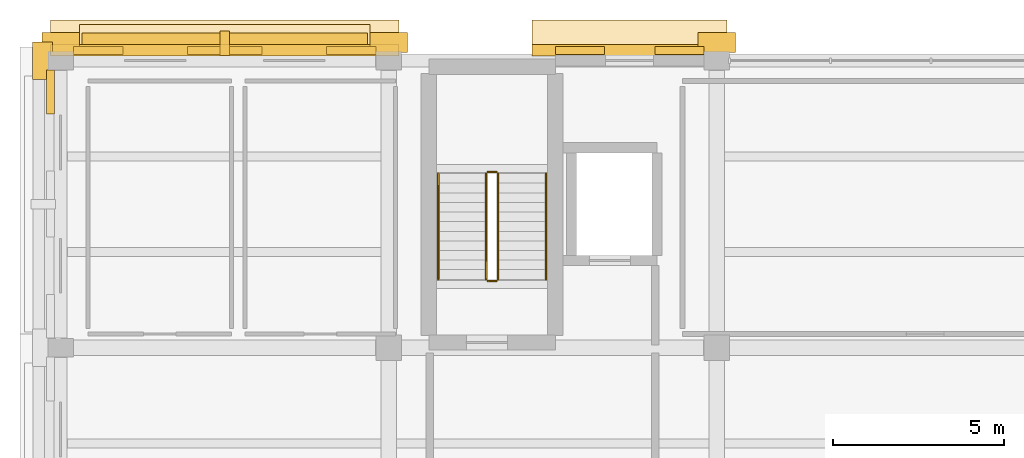
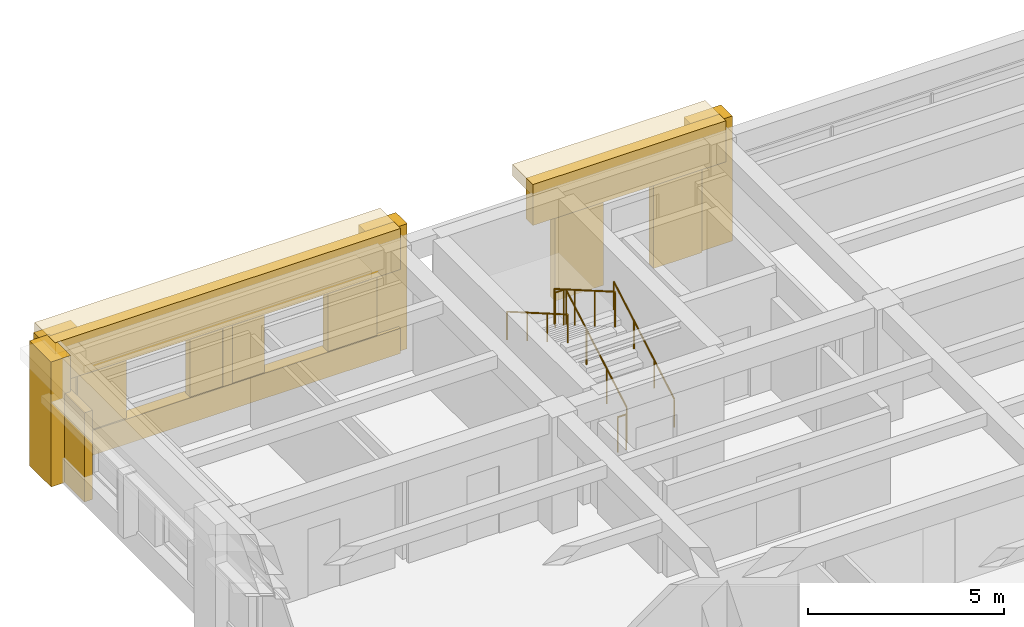
# One storey, part 10 of 12: 17 coverings, 6 railings, 1 shading device.
"""IFC4 building model written with IfcOpenShell, lengths in metres."""

import ifcopenshell
import ifcopenshell.guid

model = None  # the IFC model being written
_history = None  # IfcOwnerHistory: only IFC2X3 demands one
_inside = {}  # id of a spatial element -> (the spatial element, [elements in it])
_under = {}  # id of a project, library or spatial element -> (it, [spatial elements below it])
_declared = {}  # id of a project -> (the project, [libraries it declares])
_typed = {}  # id of a type object -> (the type object, [elements of that type])
_made_of = {}  # id of a material, layer set ... -> (it, [elements and type objects made of it])


def new_model(schema):
    """Start an empty IFC model of exactly this schema.

    Asked for "IFC4X3", IfcOpenShell would pick the latest addendum, in which some entities
    have other attributes; the version numbers below select the first issue.
    IFC2X3 requires an IfcOwnerHistory on every rooted entity: one is made here for all.
    """
    global model, _history
    if schema == "IFC4X3":
        model = ifcopenshell.file(schema_version=(4, 3, 0, 0))
    else:
        model = ifcopenshell.file(schema=schema)
    _inside.clear()
    _under.clear()
    _declared.clear()
    _typed.clear()
    _made_of.clear()
    _history = None
    if model.schema == "IFC2X3":
        org = make("IfcOrganization", Name="unknown")
        user = make(
            "IfcPersonAndOrganization",
            ThePerson=make("IfcPerson", FamilyName="unknown"),
            TheOrganization=org,
        )
        app = make(
            "IfcApplication",
            ApplicationDeveloper=org,
            Version="unknown",
            ApplicationFullName="unknown",
            ApplicationIdentifier="unknown",
        )
        _history = make(
            "IfcOwnerHistory",
            OwningUser=user,
            OwningApplication=app,
            ChangeAction="ADDED",
            CreationDate=0,
        )
    return model


def make(cls, **values):
    """One entity of the class cls with the attributes given. An attribute that is None is left unset."""
    return model.create_entity(
        cls, **{name: value for name, value in values.items() if value is not None}
    )


def rooted(cls, **values):
    """An entity with a GlobalId (a new one), such as an element, a storey or a relation."""
    return make(cls, GlobalId=ifcopenshell.guid.new(), OwnerHistory=_history, **values)


def si_unit(unit_type, name, prefix=None):
    """IfcSIUnit, for example si_unit("LENGTHUNIT", "METRE", prefix="MILLI")."""
    return make("IfcSIUnit", UnitType=unit_type, Prefix=prefix, Name=name)


def assignment(units):
    """IfcUnitAssignment: the units of a project."""
    return None if units is None else make("IfcUnitAssignment", Units=units)


def point(xyz):
    """IfcCartesianPoint."""
    return None if xyz is None else make("IfcCartesianPoint", Coordinates=xyz)


def direction(xyz):
    """IfcDirection."""
    return None if xyz is None else make("IfcDirection", DirectionRatios=xyz)


def frame(location, z_axis=None, x_axis=None):
    """IfcAxis2Placement3D, a coordinate frame: its origin and axes. An axis left out is left unset."""
    return make(
        "IfcAxis2Placement3D",
        Location=point(location),
        Axis=direction(z_axis),
        RefDirection=direction(x_axis),
    )


def frame_2d(location, x_axis=None):
    """IfcAxis2Placement2D, a coordinate frame in the plane: its origin and x axis."""
    return make(
        "IfcAxis2Placement2D", Location=point(location), RefDirection=direction(x_axis)
    )


def origin():
    """The frame at (0, 0, 0) with its axes left unset."""
    return frame((0.0, 0.0, 0.0))


def origin_2d():
    """The frame at (0, 0) in the plane with its x axis left unset."""
    return frame_2d((0.0, 0.0))


def place(relative_to, where):
    """IfcLocalPlacement: puts the frame where relative to a parent placement (None: the world)."""
    return make(
        "IfcLocalPlacement", PlacementRelTo=relative_to, RelativePlacement=where
    )


def context(
    kind, dimensions, precision=None, world=None, true_north=None, identifier=None
):
    """IfcGeometricRepresentationContext, for example the 3D "Model" context."""
    return make(
        "IfcGeometricRepresentationContext",
        ContextIdentifier=identifier,
        ContextType=kind,
        CoordinateSpaceDimension=dimensions,
        Precision=precision,
        WorldCoordinateSystem=world,
        TrueNorth=true_north,
    )


def subcontext(parent, identifier, kind, view, scale=None):
    """IfcGeometricRepresentationSubContext, for example "Body" below "Model"."""
    return make(
        "IfcGeometricRepresentationSubContext",
        ContextIdentifier=identifier,
        ContextType=kind,
        ParentContext=parent,
        TargetScale=scale,
        TargetView=view,
    )


def project(units=None, contexts=None):
    """IfcProject with its units and contexts."""
    return rooted(
        "IfcProject",
        Name="project",
        RepresentationContexts=contexts,
        UnitsInContext=assignment(units),
    )


def spatial(cls, under=None, at=None, **own):
    """A site, building, storey or space (cls), placed at a placement, below another one or the project."""
    s = rooted(cls, ObjectPlacement=at, **own)
    if under is not None:
        _under.setdefault(under.id(), (under, []))[1].append(s)
    return s


def profile(cls, at=None, kind="AREA", **sizes):
    """A parametric profile (cls). Its sizes go by their IFC names, for example OverallWidth=200.0."""
    return make(cls, ProfileType=kind, Position=at, **sizes)


def rectangle(**sizes):
    """IfcRectangleProfileDef."""
    return profile("IfcRectangleProfileDef", **sizes)


def circle(**sizes):
    """IfcCircleProfileDef."""
    return profile("IfcCircleProfileDef", **sizes)


def extrude(swept, where, along, depth):
    """IfcExtrudedAreaSolid: the profile swept, set in the frame where, extruded along a direction by depth."""
    return make(
        "IfcExtrudedAreaSolid",
        SweptArea=swept,
        Position=where,
        ExtrudedDirection=direction(along),
        Depth=depth,
    )


def shape(context_of_items, identifier, shape_type, items):
    """IfcShapeRepresentation: the items that make up one representation, for example the "Body"."""
    return make(
        "IfcShapeRepresentation",
        ContextOfItems=context_of_items,
        RepresentationIdentifier=identifier,
        RepresentationType=shape_type,
        Items=items,
    )


def material(Name=None, Category=None):
    """IfcMaterial."""
    return make("IfcMaterial", Name=Name, Category=Category)


def layer(
    of_material, thickness, ventilated=None, Name=None, Category=None, Priority=None
):
    """IfcMaterialLayer: one layer of a wall or slab, of a material (None: an air gap)."""
    return make(
        "IfcMaterialLayer",
        Material=of_material,
        LayerThickness=thickness,
        IsVentilated=ventilated,
        Name=Name,
        Category=Category,
        Priority=Priority,
    )


def layer_set(layers, Name=None):
    """IfcMaterialLayerSet."""
    return make("IfcMaterialLayerSet", MaterialLayers=layers, LayerSetName=Name)


def made_of(thing, what):
    """Note that an element or type object is made of a material, layer set ...; save() writes the relation."""
    if what is not None:
        _made_of.setdefault(what.id(), (what, []))[1].append(thing)
    return thing


def type_object(cls, material=None, **own):
    """A type object (cls), such as IfcWallType, which elements share."""
    return made_of(rooted(cls, **own), material)


def element(
    cls,
    number,
    at=None,
    inside=None,
    cuts=None,
    type_object=None,
    material=None,
    context=None,
    identifier="Body",
    shape_type=None,
    held_by="IfcProductDefinitionShape",
    body=None,
    shapes=None,
    **own,
):
    """One element of the class cls, such as IfcWall. Its Tag is "e" and its number.

    at: its placement. inside: the storey or other place that contains it. cuts: it is an
    opening in that element (IfcRelVoidsElement). A single representation is given by context,
    identifier, shape_type and body (its items); several are given by shapes. held_by: the class
    of the entity that holds the representations. save() writes the other relations.
    """
    e = rooted(cls, Tag="e%d" % number, ObjectPlacement=at, **own)
    if body is not None:
        shapes = [shape(context, identifier, shape_type, body)]
    if shapes is not None:
        e.Representation = make(held_by, Representations=shapes)
    if inside is not None:
        _inside.setdefault(inside.id(), (inside, []))[1].append(e)
    if cuts is not None:
        rooted(
            "IfcRelVoidsElement", RelatingBuildingElement=cuts, RelatedOpeningElement=e
        )
    if type_object is not None:
        _typed.setdefault(type_object.id(), (type_object, []))[1].append(e)
    return made_of(e, material)


def aggregate(whole, parts):
    """IfcRelAggregates: a whole, such as a stair, and the parts it consists of."""
    return rooted("IfcRelAggregates", RelatingObject=whole, RelatedObjects=parts)


def save(model, path):
    """Write the relations noted so far, then the file.

    IfcRelAggregates (storeys below a building ...), IfcRelContainedInSpatialStructure (elements
    in a storey), IfcRelDefinesByType, IfcRelAssociatesMaterial and IfcRelDeclares: one each for
    every whole, place, type object, material and project.
    """
    for whole, parts in _under.values():
        aggregate(whole, parts)
    for where, things in _inside.values():
        rooted(
            "IfcRelContainedInSpatialStructure",
            RelatedElements=things,
            RelatingStructure=where,
        )
    for kind, things in _typed.values():
        rooted("IfcRelDefinesByType", RelatedObjects=things, RelatingType=kind)
    for what, things in _made_of.values():
        rooted("IfcRelAssociatesMaterial", RelatedObjects=things, RelatingMaterial=what)
    for by, libraries in _declared.values():
        rooted("IfcRelDeclares", RelatingContext=by, RelatedDefinitions=libraries)
    model.write(path)


model = new_model("IFC4")

# Units and contexts
model_context = context("Model", 3, precision=1e-05, world=origin(), true_north=direction((0.0, 1.0)))
body_context = subcontext(model_context, "Body", "Model", "MODEL_VIEW")
ifc_project = project(units=[si_unit("LENGTHUNIT", "METRE"), si_unit("AREAUNIT", "SQUARE_METRE"), si_unit("VOLUMEUNIT", "CUBIC_METRE"), si_unit("PLANEANGLEUNIT", "RADIAN"), si_unit("MASSUNIT", "GRAM", prefix="KILO")], contexts=[model_context])

# Site, building, storey
site_placement = place(None, origin())
site = spatial("IfcSite", under=ifc_project, at=site_placement, CompositionType="ELEMENT")
building_placement = place(site_placement, origin())
building = spatial("IfcBuilding", under=site, at=building_placement, Name="Bempovik Park Faculty of Sciences", CompositionType="ELEMENT")
storey_placement = place(building_placement, frame((0.0, 0.0, 34.5)))
storey = spatial("IfcBuildingStorey", under=building, at=storey_placement, Name="L08", CompositionType="ELEMENT", Elevation=34.5)

# Coverings
ifc_material_1 = material(Name="Precast concrete C40/50", Category="concrete")
ifc_layer_1 = layer(ifc_material_1, 0.179931640625)
ifc_layer_set_1 = layer_set([ifc_layer_1], Name="Precast concrete C40/50")
covering_type_1 = type_object("IfcCoveringType", Name="CL-02 Classical Cornice Band 180mm", PredefinedType="CLADDING", material=ifc_layer_set_1)
covering_1_placement = place(storey_placement, frame((64.800048828125, 120.06494140625, 3.5400390625), z_axis=(0.0, 0.0, 1.0), x_axis=(1.0, 0.0, 0.0)))
element("IfcCovering", 1, at=covering_1_placement, inside=storey, type_object=covering_type_1, Name="L08 Classical Projecting Dentil Cornice EW-L08-10812", PredefinedType="CLADDING", context=body_context, shape_type="SweptSolid", body=[
    extrude(rectangle(XDim=10.196044921875, YDim=1.050048828125, at=origin_2d()), origin(), (0.0, 0.0, 1.0), 0.360107421875),
])
covering_2_placement = place(storey_placement, frame((64.800048828125, 120.0, 2.66015625), z_axis=(0.0, 0.0, 1.0), x_axis=(1.0, 0.0, 0.0)))
element("IfcCovering", 2, at=covering_2_placement, inside=storey, type_object=covering_type_1, Name="L08 Classical Stone Solar Window Hood EW-L08-10812", PredefinedType="CLADDING", context=body_context, shape_type="SweptSolid", body=[
    extrude(rectangle(XDim=8.49609375, YDim=0.919921875, at=origin_2d()), origin(), (0.0, 0.0, 1.0), 0.219970703125),
])
covering_3_placement = place(storey_placement, frame((76.6494140625, 120.06494140625, 3.5400390625), z_axis=(0.0, 0.0, 1.0), x_axis=(1.0, 0.0, 0.0)))
element("IfcCovering", 3, at=covering_3_placement, inside=storey, type_object=covering_type_1, Name="L08 Classical Projecting Dentil Cornice EW-L08-10826", PredefinedType="CLADDING", context=body_context, shape_type="SweptSolid", body=[
    extrude(rectangle(XDim=5.697021484375, YDim=1.050048828125, at=origin_2d()), origin(), (0.0, 0.0, 1.0), 0.360107421875),
])
ifc_material_2 = material(Name="White reconstituted limestone precast C40/50", Category="masonry")
ifc_layer_2 = layer(ifc_material_2, 0.239990234375)
ifc_layer_set_2 = layer_set([ifc_layer_2], Name="White reconstituted limestone precast C40/50")
covering_type_2 = type_object("IfcCoveringType", Name="CL-03 Classical Fluted Limestone Pilaster 240mm", PredefinedType="CLADDING", material=ifc_layer_set_2)
covering_4_placement = place(storey_placement, frame((64.800048828125, 119.7099609375, 2.6201171875), z_axis=(0.0, 0.0, 1.0), x_axis=(1.0, 0.0, 0.0)))
element("IfcCovering", 4, at=covering_4_placement, inside=storey, type_object=covering_type_2, Name="L08 Classical Limestone Spandrel Entablature EW-L08-10812", PredefinedType="CLADDING", context=body_context, shape_type="SweptSolid", body=[
    extrude(rectangle(XDim=10.196044921875, YDim=0.340087890625, at=origin_2d()), origin(), (0.0, 0.0, 1.0), 1.280029296875),
])
covering_5_placement = place(storey_placement, frame((64.800048828125, 119.7099609375, 0.0), z_axis=(0.0, 0.0, 1.0), x_axis=(1.0, 0.0, 0.0)))
element("IfcCovering", 5, at=covering_5_placement, inside=storey, type_object=covering_type_2, Name="L08 Classical Limestone Sill Dado EW-L08-10812", PredefinedType="CLADDING", context=body_context, shape_type="SweptSolid", body=[
    extrude(rectangle(XDim=10.196044921875, YDim=0.340087890625, at=origin_2d()), origin(), (0.0, 0.0, 1.0), 0.780029296875),
])
for number, where, z_axis, x_axis, name in (
    (6, (60.0, 119.929931640625, 0.0), (0.0, 0.0, 1.0), (1.0, 0.0, 0.0), "L08 Classical Fluted Stone Pilaster PIL-BA-L08-600-1199"),
    (7, (69.60009765625, 119.929931640625, 0.0), (0.0, 0.0, 1.0), (1.0, 0.0, 0.0), "L08 Classical Fluted Stone Pilaster PIL-BA-L08-696-1199"),
):
    element("IfcCovering", number, at=place(storey_placement, frame(where, z_axis=z_axis, x_axis=x_axis)), inside=storey, type_object=covering_type_2, Name=name, PredefinedType="CLADDING", context=body_context, shape_type="SweptSolid", body=[
        extrude(rectangle(XDim=1.10009765625, YDim=0.580078125, at=origin_2d()), origin(), (0.0, 0.0, 1.0), 3.89990234375),
    ])
covering_6_placement = place(storey_placement, frame((61.101318359375, 119.699951171875, 0.0), z_axis=(0.0, 0.0, 1.0), x_axis=(1.0, 0.0, 0.0)))
element("IfcCovering", 8, at=covering_6_placement, inside=storey, type_object=covering_type_2, Name="L08 White Limestone Wall Cheek EW-L08-10812-0", PredefinedType="CLADDING", context=body_context, shape_type="SweptSolid", body=[
    extrude(rectangle(XDim=1.448486328125, YDim=0.239990234375, at=origin_2d()), origin(), (0.0, 0.0, 1.0), 2.780029296875),
])
covering_7_placement = place(storey_placement, frame((64.800048828125, 119.699951171875, 0.0), z_axis=(0.0, 0.0, 1.0), x_axis=(1.0, 0.0, 0.0)))
element("IfcCovering", 9, at=covering_7_placement, inside=storey, type_object=covering_type_2, Name="L08 White Limestone Wall Cheek EW-L08-10812-2", PredefinedType="CLADDING", context=body_context, shape_type="SweptSolid", body=[
    extrude(rectangle(XDim=2.189208984375, YDim=0.239990234375, at=origin_2d()), origin(), (0.0, 0.0, 1.0), 2.780029296875),
])
covering_8_placement = place(storey_placement, frame((68.498779296875, 119.699951171875, 0.0), z_axis=(0.0, 0.0, 1.0), x_axis=(1.0, 0.0, 0.0)))
element("IfcCovering", 10, at=covering_8_placement, inside=storey, type_object=covering_type_2, Name="L08 White Limestone Wall Cheek EW-L08-10812-4", PredefinedType="CLADDING", context=body_context, shape_type="SweptSolid", body=[
    extrude(rectangle(XDim=1.448486328125, YDim=0.239990234375, at=origin_2d()), origin(), (0.0, 0.0, 1.0), 2.780029296875),
])
covering_9_placement = place(storey_placement, frame((64.800048828125, 119.909912109375, 0.699951171875), z_axis=(0.0, 0.0, 1.0), x_axis=(1.0, 0.0, 0.0)))
element("IfcCovering", 11, at=covering_9_placement, inside=storey, type_object=covering_type_2, Name="L08 Classical Vertical Stone Shading Fin EW-L08-10812", PredefinedType="CLADDING", context=body_context, shape_type="SweptSolid", body=[
    extrude(rectangle(XDim=0.280029296875, YDim=0.719970703125, at=origin_2d()), origin(), (0.0, 0.0, 1.0), 2.0),
])
covering_10_placement = place(storey_placement, frame((76.6494140625, 119.7099609375, 2.6201171875), z_axis=(0.0, 0.0, 1.0), x_axis=(1.0, 0.0, 0.0)))
element("IfcCovering", 12, at=covering_10_placement, inside=storey, type_object=covering_type_2, Name="L08 Classical Limestone Spandrel Entablature EW-L08-10826", PredefinedType="CLADDING", context=body_context, shape_type="SweptSolid", body=[
    extrude(rectangle(XDim=5.697021484375, YDim=0.340087890625, at=origin_2d()), origin(), (0.0, 0.0, 1.0), 1.280029296875),
])
covering_11_placement = place(storey_placement, frame((79.199951171875, 119.929931640625, 0.0), z_axis=(0.0, 0.0, 1.0), x_axis=(1.0, 0.0, 0.0)))
element("IfcCovering", 13, at=covering_11_placement, inside=storey, type_object=covering_type_2, Name="L08 Classical Fluted Stone Pilaster PIL-BA-L08-792-1199", PredefinedType="CLADDING", context=body_context, shape_type="SweptSolid", body=[
    extrude(rectangle(XDim=1.10009765625, YDim=0.580078125, at=origin_2d()), origin(), (0.0, 0.0, 1.0), 3.89990234375),
])
for number, where, z_axis, x_axis, name in (
    (14, (75.19287109375, 119.699951171875, 0.0), (0.0, 0.0, 1.0), (1.0, 0.0, 0.0), "L08 Stairwell White Limestone Cheek EW-L08-10826-1"),
    (15, (78.106201171875, 119.699951171875, 0.0), (0.0, 0.0, 1.0), (1.0, 0.0, 0.0), "L08 Stairwell White Limestone Cheek EW-L08-10826-2"),
):
    element("IfcCovering", number, at=place(storey_placement, frame(where, z_axis=z_axis, x_axis=x_axis)), inside=storey, type_object=covering_type_2, Name=name, PredefinedType="CLADDING", context=body_context, shape_type="SweptSolid", body=[
        extrude(rectangle(XDim=1.43359375, YDim=0.239990234375, at=origin_2d()), origin(), (0.0, 0.0, 1.0), 2.780029296875),
    ])
covering_12_placement = place(storey_placement, frame((59.469970703125, 119.39990234375, 0.0), z_axis=(0.0, 0.0, 1.0), x_axis=(1.0, 0.0, 0.0)))
element("IfcCovering", 16, at=covering_12_placement, inside=storey, type_object=covering_type_2, Name="L08 Classical Fluted Stone Pilaster PIL-BA-L08-595-1194", PredefinedType="CLADDING", context=body_context, shape_type="SweptSolid", body=[
    extrude(rectangle(XDim=0.580078125, YDim=1.10009765625, at=origin_2d()), origin(), (0.0, 0.0, 1.0), 3.89990234375),
])
covering_13_placement = place(storey_placement, frame((59.699951171875, 118.48388671875, 0.0), z_axis=(0.0, 0.0, 1.0), x_axis=(1.0, 0.0, 0.0)))
element("IfcCovering", 17, at=covering_13_placement, inside=storey, type_object=covering_type_2, Name="L08 White Limestone Wall Cheek EW-L08-10915-4", PredefinedType="CLADDING", context=body_context, shape_type="SweptSolid", body=[
    extrude(rectangle(XDim=0.239990234375, YDim=1.2783203125, at=origin_2d()), origin(), (0.0, 0.0, 1.0), 2.780029296875),
])

# Railings
ifc_material_3 = material(Name="Anodised architectural bronze")
railing_type_1 = type_object("IfcRailingType", Name="GR-01 Guardrail 1120mm", PredefinedType="GUARDRAIL", material=ifc_material_3)
railing_1_placement = place(storey_placement, frame((72.800048828125, 113.0, 0.16259765625)))
element("IfcRailing", 18, at=railing_1_placement, inside=storey, type_object=railing_type_1, Name="L08 ST-1 Stair Guard 1", PredefinedType="GUARDRAIL", context=body_context, shape_type="SweptSolid", body=[
    extrude(circle(Radius=0.02392578125, at=origin_2d()), frame((0.0, 0.0, 1.09619140625), z_axis=(0.0, 0.865882832026, 0.500246860263), x_axis=(-1.0, 0.0, 0.0)), (0.0, 0.0, 1.0), 3.572998046875),
    extrude(circle(Radius=0.02099609375, at=origin_2d()), origin(), (0.0, 0.0, 1.0), 1.072021484375),
    extrude(circle(Radius=0.02099609375, at=origin_2d()), frame((0.0, 1.03125, 0.595703125)), (0.0, 0.0, 1.0), 1.072021484375),
    extrude(circle(Radius=0.02099609375, at=origin_2d()), frame((0.0, 2.0625, 1.191650390625)), (0.0, 0.0, 1.0), 1.072021484375),
    extrude(circle(Radius=0.02099609375, at=origin_2d()), frame((0.0, 3.09375, 1.787353515625)), (0.0, 0.0, 1.0), 1.072021484375),
])
railing_2_placement = place(storey_placement, frame((72.75, 116.143798828125, 1.949951171875)))
element("IfcRailing", 19, at=railing_2_placement, inside=storey, type_object=railing_type_1, Name="L08 ST-1 Stair Guard 2", PredefinedType="GUARDRAIL", context=body_context, shape_type="SweptSolid", body=[
    extrude(circle(Radius=0.02392578125, at=origin_2d()), frame((0.0, 0.0, 1.09619140625), z_axis=(-1.0, 0.0, 0.0), x_axis=(0.0, -1.0, 0.0)), (0.0, 0.0, 1.0), 0.25),
    extrude(circle(Radius=0.02099609375, at=origin_2d()), origin(), (0.0, 0.0, 1.0), 1.072021484375),
    extrude(circle(Radius=0.02099609375, at=origin_2d()), frame((-0.25, 0.0, 0.0)), (0.0, 0.0, 1.0), 1.072021484375),
])
railing_3_placement = place(storey_placement, frame((72.449951171875, 116.09375, 2.112548828125)))
element("IfcRailing", 20, at=railing_3_placement, inside=storey, type_object=railing_type_1, Name="L08 ST-1 Stair Guard 3", PredefinedType="GUARDRAIL", context=body_context, shape_type="SweptSolid", body=[
    extrude(circle(Radius=0.02392578125, at=origin_2d()), frame((0.0, 0.0, 1.09619140625), z_axis=(0.0, -0.865882832026, 0.500246860263), x_axis=(1.0, 0.0, 0.0)), (0.0, 0.0, 1.0), 3.572998046875),
    extrude(circle(Radius=0.02099609375, at=origin_2d()), origin(), (0.0, 0.0, 1.0), 1.072021484375),
    extrude(circle(Radius=0.02099609375, at=origin_2d()), frame((0.0, -1.03125, 0.595703125)), (0.0, 0.0, 1.0), 1.072021484375),
    extrude(circle(Radius=0.02099609375, at=origin_2d()), frame((0.0, -2.0625, 1.191650390625)), (0.0, 0.0, 1.0), 1.072021484375),
    extrude(circle(Radius=0.02099609375, at=origin_2d()), frame((0.0, -3.09375, 1.787353515625)), (0.0, 0.0, 1.0), 1.072021484375),
])
railing_4_placement = place(storey_placement, frame((72.75, 112.949951171875, 0.0)))
element("IfcRailing", 21, at=railing_4_placement, inside=storey, type_object=railing_type_1, Name="L08 ST-1 Stair Guard 4", PredefinedType="GUARDRAIL", context=body_context, shape_type="SweptSolid", body=[
    extrude(circle(Radius=0.02392578125, at=origin_2d()), frame((0.0, 0.0, 1.09619140625), z_axis=(-1.0, 0.0, 0.0), x_axis=(0.0, -1.0, 0.0)), (0.0, 0.0, 1.0), 0.25),
    extrude(circle(Radius=0.02099609375, at=origin_2d()), origin(), (0.0, 0.0, 1.0), 1.072021484375),
    extrude(circle(Radius=0.02099609375, at=origin_2d()), frame((-0.25, 0.0, 0.0)), (0.0, 0.0, 1.0), 1.072021484375),
])
railing_type_2 = type_object("IfcRailingType", Name="HR-01 Wall Handrail 900mm", PredefinedType="HANDRAIL", material=ifc_material_3)
railing_5_placement = place(storey_placement, frame((74.199951171875, 113.0, 0.16259765625)))
element("IfcRailing", 22, at=railing_5_placement, inside=storey, type_object=railing_type_2, Name="L08 ST-1 Stair Handrail 1", PredefinedType="HANDRAIL", context=body_context, shape_type="SweptSolid", body=[
    extrude(circle(Radius=0.02392578125, at=origin_2d()), frame((0.0, 0.0, 0.8759765625), z_axis=(0.0, 0.865882832026, 0.500246860263), x_axis=(-1.0, 0.0, 0.0)), (0.0, 0.0, 1.0), 3.572998046875),
    extrude(circle(Radius=0.02099609375, at=origin_2d()), origin(), (0.0, 0.0, 1.0), 0.851806640625),
    extrude(circle(Radius=0.02099609375, at=origin_2d()), frame((0.0, 1.03125, 0.595703125)), (0.0, 0.0, 1.0), 0.851806640625),
    extrude(circle(Radius=0.02099609375, at=origin_2d()), frame((0.0, 2.0625, 1.191650390625)), (0.0, 0.0, 1.0), 0.851806640625),
    extrude(circle(Radius=0.02099609375, at=origin_2d()), frame((0.0, 3.09375, 1.787353515625)), (0.0, 0.0, 1.0), 0.851806640625),
])
railing_6_placement = place(storey_placement, frame((71.050048828125, 116.09375, 2.112548828125)))
element("IfcRailing", 23, at=railing_6_placement, inside=storey, type_object=railing_type_2, Name="L08 ST-1 Stair Handrail 2", PredefinedType="HANDRAIL", context=body_context, shape_type="SweptSolid", body=[
    extrude(circle(Radius=0.02392578125, at=origin_2d()), frame((0.0, 0.0, 0.8759765625), z_axis=(0.0, -0.865882832026, 0.500246860263), x_axis=(1.0, 0.0, 0.0)), (0.0, 0.0, 1.0), 3.572998046875),
    extrude(circle(Radius=0.02099609375, at=origin_2d()), origin(), (0.0, 0.0, 1.0), 0.851806640625),
    extrude(circle(Radius=0.02099609375, at=origin_2d()), frame((0.0, -1.03125, 0.595703125)), (0.0, 0.0, 1.0), 0.851806640625),
    extrude(circle(Radius=0.02099609375, at=origin_2d()), frame((0.0, -2.0625, 1.191650390625)), (0.0, 0.0, 1.0), 0.851806640625),
    extrude(circle(Radius=0.02099609375, at=origin_2d()), frame((0.0, -3.09375, 1.787353515625)), (0.0, 0.0, 1.0), 0.851806640625),
])

# Shading device
ifc_layer_3 = layer(ifc_material_3, 0.06005859375)
ifc_layer_set_3 = layer_set([ifc_layer_3], Name="Anodised architectural bronze")
shading_device_type = type_object("IfcShadingDeviceType", Name="SH-01 Bronze Brise-Soleil Fin", PredefinedType="USERDEFINED", material=ifc_layer_set_3)
shading_device_placement = place(storey_placement, frame((64.800048828125, 119.8798828125, 2.599853515625), z_axis=(0.0, 0.0, 1.0), x_axis=(1.0, 0.0, 0.0)))
element("IfcShadingDevice", 24, at=shading_device_placement, inside=storey, type_object=shading_device_type, Name="L08 Equatorial Bronze Brise-Soleil EW-L08-10812", ObjectType="BRISE SOLEIL", PredefinedType="USERDEFINED", context=body_context, shape_type="SweptSolid", body=[
    extrude(rectangle(XDim=8.345947265625, YDim=0.64990234375, at=origin_2d()), origin(), (0.0, 0.0, 1.0), 0.06005859375),
])

save(model, "model.ifc")
